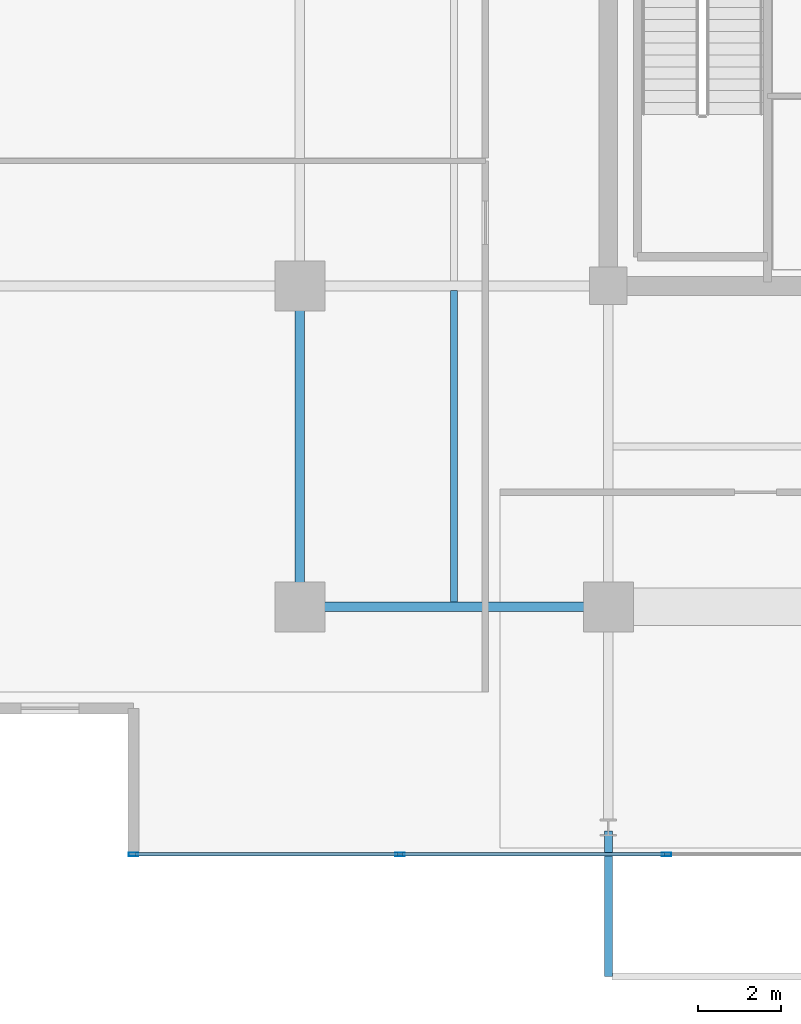
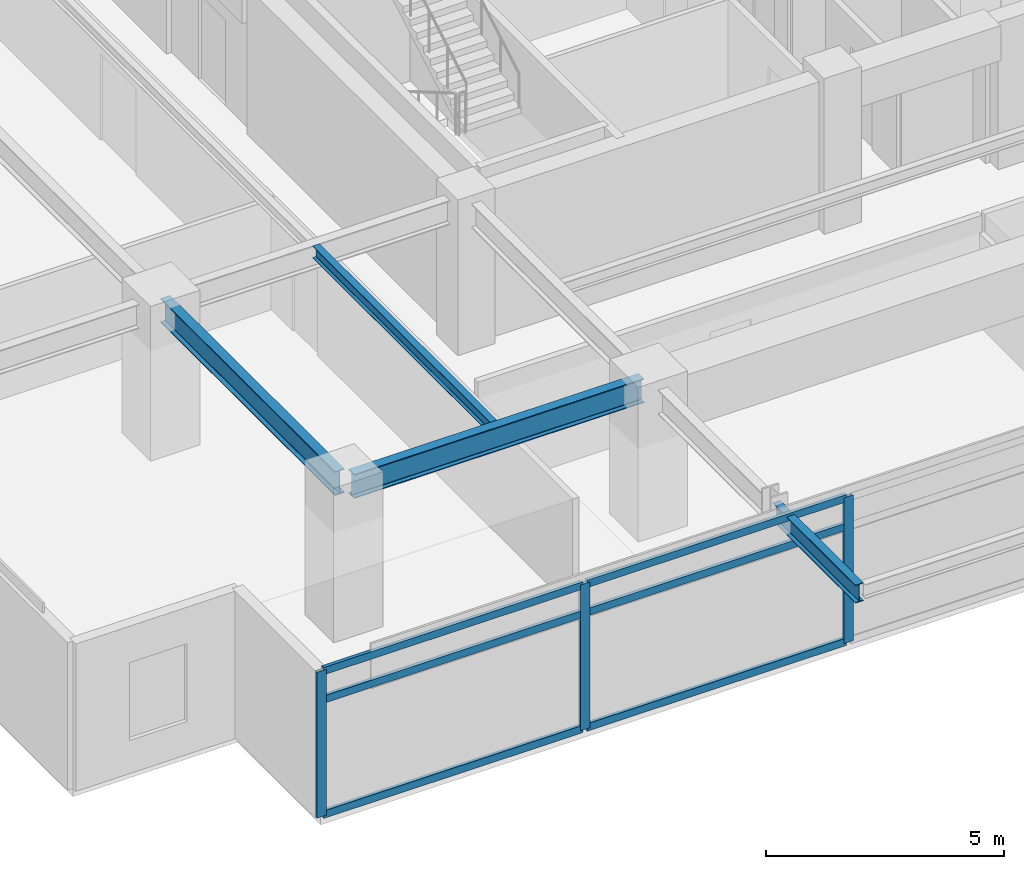
# One storey, part 2 of 19: 9 members, 4 beams, 1 element without a shape of its own.
"""IFC4 building model written with IfcOpenShell, lengths in metres."""

import ifcopenshell
import ifcopenshell.guid

model = None  # the IFC model being written
_history = None  # IfcOwnerHistory: only IFC2X3 demands one
_inside = {}  # id of a spatial element -> (the spatial element, [elements in it])
_under = {}  # id of a project, library or spatial element -> (it, [spatial elements below it])
_declared = {}  # id of a project -> (the project, [libraries it declares])
_typed = {}  # id of a type object -> (the type object, [elements of that type])
_made_of = {}  # id of a material, layer set ... -> (it, [elements and type objects made of it])


def new_model(schema):
    """Start an empty IFC model of exactly this schema.

    Asked for "IFC4X3", IfcOpenShell would pick the latest addendum, in which some entities
    have other attributes; the version numbers below select the first issue.
    IFC2X3 requires an IfcOwnerHistory on every rooted entity: one is made here for all.
    """
    global model, _history
    if schema == "IFC4X3":
        model = ifcopenshell.file(schema_version=(4, 3, 0, 0))
    else:
        model = ifcopenshell.file(schema=schema)
    _inside.clear()
    _under.clear()
    _declared.clear()
    _typed.clear()
    _made_of.clear()
    _history = None
    if model.schema == "IFC2X3":
        org = make("IfcOrganization", Name="unknown")
        user = make(
            "IfcPersonAndOrganization",
            ThePerson=make("IfcPerson", FamilyName="unknown"),
            TheOrganization=org,
        )
        app = make(
            "IfcApplication",
            ApplicationDeveloper=org,
            Version="unknown",
            ApplicationFullName="unknown",
            ApplicationIdentifier="unknown",
        )
        _history = make(
            "IfcOwnerHistory",
            OwningUser=user,
            OwningApplication=app,
            ChangeAction="ADDED",
            CreationDate=0,
        )
    return model


def make(cls, **values):
    """One entity of the class cls with the attributes given. An attribute that is None is left unset."""
    return model.create_entity(
        cls, **{name: value for name, value in values.items() if value is not None}
    )


def rooted(cls, **values):
    """An entity with a GlobalId (a new one), such as an element, a storey or a relation."""
    return make(cls, GlobalId=ifcopenshell.guid.new(), OwnerHistory=_history, **values)


def si_unit(unit_type, name, prefix=None):
    """IfcSIUnit, for example si_unit("LENGTHUNIT", "METRE", prefix="MILLI")."""
    return make("IfcSIUnit", UnitType=unit_type, Prefix=prefix, Name=name)


def assignment(units):
    """IfcUnitAssignment: the units of a project."""
    return None if units is None else make("IfcUnitAssignment", Units=units)


def point(xyz):
    """IfcCartesianPoint."""
    return None if xyz is None else make("IfcCartesianPoint", Coordinates=xyz)


def direction(xyz):
    """IfcDirection."""
    return None if xyz is None else make("IfcDirection", DirectionRatios=xyz)


def frame(location, z_axis=None, x_axis=None):
    """IfcAxis2Placement3D, a coordinate frame: its origin and axes. An axis left out is left unset."""
    return make(
        "IfcAxis2Placement3D",
        Location=point(location),
        Axis=direction(z_axis),
        RefDirection=direction(x_axis),
    )


def frame_2d(location, x_axis=None):
    """IfcAxis2Placement2D, a coordinate frame in the plane: its origin and x axis."""
    return make(
        "IfcAxis2Placement2D", Location=point(location), RefDirection=direction(x_axis)
    )


def origin():
    """The frame at (0, 0, 0) with its axes left unset."""
    return frame((0.0, 0.0, 0.0))


def origin_2d():
    """The frame at (0, 0) in the plane with its x axis left unset."""
    return frame_2d((0.0, 0.0))


def place(relative_to, where):
    """IfcLocalPlacement: puts the frame where relative to a parent placement (None: the world)."""
    return make(
        "IfcLocalPlacement", PlacementRelTo=relative_to, RelativePlacement=where
    )


def context(
    kind, dimensions, precision=None, world=None, true_north=None, identifier=None
):
    """IfcGeometricRepresentationContext, for example the 3D "Model" context."""
    return make(
        "IfcGeometricRepresentationContext",
        ContextIdentifier=identifier,
        ContextType=kind,
        CoordinateSpaceDimension=dimensions,
        Precision=precision,
        WorldCoordinateSystem=world,
        TrueNorth=true_north,
    )


def subcontext(parent, identifier, kind, view, scale=None):
    """IfcGeometricRepresentationSubContext, for example "Body" below "Model"."""
    return make(
        "IfcGeometricRepresentationSubContext",
        ContextIdentifier=identifier,
        ContextType=kind,
        ParentContext=parent,
        TargetScale=scale,
        TargetView=view,
    )


def project(units=None, contexts=None):
    """IfcProject with its units and contexts."""
    return rooted(
        "IfcProject",
        Name="project",
        RepresentationContexts=contexts,
        UnitsInContext=assignment(units),
    )


def spatial(cls, under=None, at=None, **own):
    """A site, building, storey or space (cls), placed at a placement, below another one or the project."""
    s = rooted(cls, ObjectPlacement=at, **own)
    if under is not None:
        _under.setdefault(under.id(), (under, []))[1].append(s)
    return s


def profile(cls, at=None, kind="AREA", **sizes):
    """A parametric profile (cls). Its sizes go by their IFC names, for example OverallWidth=200.0."""
    return make(cls, ProfileType=kind, Position=at, **sizes)


def hollow_rectangle(**sizes):
    """IfcRectangleHollowProfileDef."""
    return profile("IfcRectangleHollowProfileDef", **sizes)


def i_section(**sizes):
    """IfcIShapeProfileDef."""
    return profile("IfcIShapeProfileDef", **sizes)


def extrude(swept, where, along, depth):
    """IfcExtrudedAreaSolid: the profile swept, set in the frame where, extruded along a direction by depth."""
    return make(
        "IfcExtrudedAreaSolid",
        SweptArea=swept,
        Position=where,
        ExtrudedDirection=direction(along),
        Depth=depth,
    )


def shape(context_of_items, identifier, shape_type, items):
    """IfcShapeRepresentation: the items that make up one representation, for example the "Body"."""
    return make(
        "IfcShapeRepresentation",
        ContextOfItems=context_of_items,
        RepresentationIdentifier=identifier,
        RepresentationType=shape_type,
        Items=items,
    )


def material(Name=None, Category=None):
    """IfcMaterial."""
    return make("IfcMaterial", Name=Name, Category=Category)


def material_profile(
    of_material, cross_section, Name=None, Category=None, Priority=None
):
    """IfcMaterialProfile: a cross section and its material."""
    return make(
        "IfcMaterialProfile",
        Name=Name,
        Material=of_material,
        Profile=cross_section,
        Priority=Priority,
        Category=Category,
    )


def profile_set(profiles, Name=None, composite=None):
    """IfcMaterialProfileSet."""
    return make(
        "IfcMaterialProfileSet",
        Name=Name,
        MaterialProfiles=profiles,
        CompositeProfile=composite,
    )


def made_of(thing, what):
    """Note that an element or type object is made of a material, layer set ...; save() writes the relation."""
    if what is not None:
        _made_of.setdefault(what.id(), (what, []))[1].append(thing)
    return thing


def type_object(cls, material=None, **own):
    """A type object (cls), such as IfcWallType, which elements share."""
    return made_of(rooted(cls, **own), material)


def element(
    cls,
    number,
    at=None,
    inside=None,
    cuts=None,
    type_object=None,
    material=None,
    context=None,
    identifier="Body",
    shape_type=None,
    held_by="IfcProductDefinitionShape",
    body=None,
    shapes=None,
    **own,
):
    """One element of the class cls, such as IfcWall. Its Tag is "e" and its number.

    at: its placement. inside: the storey or other place that contains it. cuts: it is an
    opening in that element (IfcRelVoidsElement). A single representation is given by context,
    identifier, shape_type and body (its items); several are given by shapes. held_by: the class
    of the entity that holds the representations. save() writes the other relations.
    """
    e = rooted(cls, Tag="e%d" % number, ObjectPlacement=at, **own)
    if body is not None:
        shapes = [shape(context, identifier, shape_type, body)]
    if shapes is not None:
        e.Representation = make(held_by, Representations=shapes)
    if inside is not None:
        _inside.setdefault(inside.id(), (inside, []))[1].append(e)
    if cuts is not None:
        rooted(
            "IfcRelVoidsElement", RelatingBuildingElement=cuts, RelatedOpeningElement=e
        )
    if type_object is not None:
        _typed.setdefault(type_object.id(), (type_object, []))[1].append(e)
    return made_of(e, material)


def aggregate(whole, parts):
    """IfcRelAggregates: a whole, such as a stair, and the parts it consists of."""
    return rooted("IfcRelAggregates", RelatingObject=whole, RelatedObjects=parts)


def save(model, path):
    """Write the relations noted so far, then the file.

    IfcRelAggregates (storeys below a building ...), IfcRelContainedInSpatialStructure (elements
    in a storey), IfcRelDefinesByType, IfcRelAssociatesMaterial and IfcRelDeclares: one each for
    every whole, place, type object, material and project.
    """
    for whole, parts in _under.values():
        aggregate(whole, parts)
    for where, things in _inside.values():
        rooted(
            "IfcRelContainedInSpatialStructure",
            RelatedElements=things,
            RelatingStructure=where,
        )
    for kind, things in _typed.values():
        rooted("IfcRelDefinesByType", RelatedObjects=things, RelatingType=kind)
    for what, things in _made_of.values():
        rooted("IfcRelAssociatesMaterial", RelatedObjects=things, RelatingMaterial=what)
    for by, libraries in _declared.values():
        rooted("IfcRelDeclares", RelatingContext=by, RelatedDefinitions=libraries)
    model.write(path)


model = new_model("IFC4")

# Units and contexts
model_context = context("Model", 3, precision=1e-05, world=origin(), true_north=direction((0.0, 1.0)))
body_context = subcontext(model_context, "Body", "Model", "MODEL_VIEW")
ifc_project = project(units=[si_unit("LENGTHUNIT", "METRE"), si_unit("AREAUNIT", "SQUARE_METRE"), si_unit("VOLUMEUNIT", "CUBIC_METRE"), si_unit("PLANEANGLEUNIT", "RADIAN"), si_unit("MASSUNIT", "GRAM", prefix="KILO")], contexts=[model_context])

# Site, building, storey
site_placement = place(None, origin())
site = spatial("IfcSite", under=ifc_project, at=site_placement, CompositionType="ELEMENT")
building_placement = place(site_placement, origin())
building = spatial("IfcBuilding", under=site, at=building_placement, Name="Kovane Verandah Tower", CompositionType="ELEMENT")
storey_placement = place(building_placement, frame((0.0, 0.0, 255.199951171875)))
storey = spatial("IfcBuildingStorey", under=building, at=storey_placement, Name="L59", CompositionType="ELEMENT", Elevation=255.199951171875)

# Beams
ifc_material_1 = material(Name="Steel S355", Category="steel")
ifc_material_profile_1 = material_profile(ifc_material_1, i_section(OverallWidth=0.230224609375, OverallDepth=0.6171875, WebThickness=0.01318359375, FlangeThickness=0.022216796875, FilletRadius=0.0126953125, at=origin_2d()), Name="UB610x229x140")
ifc_profile_set_1 = profile_set([ifc_material_profile_1], Name="Steel S355")
beam_type_1 = type_object("IfcBeamType", Name="BM-UB610x140", PredefinedType="BEAM", material=ifc_profile_set_1)
beam_1_placement = place(storey_placement, frame((21.780029296875, 10.800048828125, 3.4765625), z_axis=(1.0, 0.0, 0.0), x_axis=(0.0, 1.0, 0.0)))
element("IfcBeam", 1, at=beam_1_placement, inside=storey, type_object=beam_type_1, Name="L59 Primary Tower Girder G-RS1", PredefinedType="BEAM", context=body_context, shape_type="SweptSolid", body=[
    extrude(i_section(OverallWidth=0.230224609375, OverallDepth=0.6171875, WebThickness=0.01318359375, FlangeThickness=0.022216796875, FilletRadius=0.0126953125, at=origin_2d()), origin(), (0.0, 0.0, 1.0), 7.0400390625),
])
beam_2_placement = place(storey_placement, frame((21.60009765625, 10.97998046875, 3.4765625), z_axis=(0.0, 1.0, 0.0), x_axis=(-1.0, 0.0, 0.0)))
element("IfcBeam", 2, at=beam_2_placement, inside=storey, type_object=beam_type_1, Name="L59 Primary Tower Girder G-RW1", PredefinedType="BEAM", context=body_context, shape_type="SweptSolid", body=[
    extrude(i_section(OverallWidth=0.230224609375, OverallDepth=0.6171875, WebThickness=0.01318359375, FlangeThickness=0.022216796875, FilletRadius=0.0126953125, at=origin_2d()), origin(), (0.0, 0.0, 1.0), 7.340087890625),
])

# Curtain wall, members
ifc_material_2 = material(Name="Champagne Anodised Aluminium Frame with Low-E Clear Laminated Glass", Category="aluminium")
curtain_wall_type = type_object("IfcCurtainWallType", Name="CW-SYS-05-HIGH", PredefinedType="NOTDEFINED", material=ifc_material_2)
curtain_wall_placement = place(storey_placement, origin())
curtain_wall = element("IfcCurtainWall", 3, at=curtain_wall_placement, inside=storey, type_object=curtain_wall_type, Name="L59 S Unitised Curtain Wall", PredefinedType="NOTDEFINED")
ifc_material_3 = material(Name="Champagne Anodised Aluminium 6063-T6", Category="aluminium")
ifc_material_profile_2 = material_profile(ifc_material_3, hollow_rectangle(XDim=0.0849609375, YDim=0.22998046875, WallThickness=0.00390625, at=origin_2d()), Name="AL85x230x4")
ifc_profile_set_2 = profile_set([ifc_material_profile_2], Name="Champagne Anodised Aluminium 6063-T6")
member_type_1 = type_object("IfcMemberType", Name="CW-MUL-85x230", PredefinedType="MULLION", material=ifc_profile_set_2)
member_1_placement = place(storey_placement, frame((17.603759765625, 4.8623046875, 0.02001953125), z_axis=(0.0, 0.0, 1.0), x_axis=(0.0, -1.0, 0.0)))
member_1 = element("IfcMember", 4, at=member_1_placement, type_object=member_type_1, Name="L59 S Unitised Curtain Wall Mullion 1", PredefinedType="MULLION", context=body_context, shape_type="SweptSolid", body=[
    extrude(hollow_rectangle(XDim=0.0849609375, YDim=0.22998046875, WallThickness=0.00390625, at=origin_2d()), origin(), (0.0, 0.0, 1.0), 3.7451171875),
])
member_2_placement = place(storey_placement, frame((24.002685546875, 4.8623046875, 0.02001953125), z_axis=(0.0, 0.0, 1.0), x_axis=(0.0, -1.0, 0.0)))
member_2 = element("IfcMember", 5, at=member_2_placement, type_object=member_type_1, Name="L59 S Unitised Curtain Wall Mullion 2", PredefinedType="MULLION", context=body_context, shape_type="SweptSolid", body=[
    extrude(hollow_rectangle(XDim=0.0849609375, YDim=0.22998046875, WallThickness=0.00390625, at=origin_2d()), origin(), (0.0, 0.0, 1.0), 3.7451171875),
])
member_3_placement = place(storey_placement, frame((30.401611328125, 4.8623046875, 0.02001953125), z_axis=(0.0, 0.0, 1.0), x_axis=(0.0, -1.0, 0.0)))
member_3 = element("IfcMember", 6, at=member_3_placement, type_object=member_type_1, Name="L59 S Unitised Curtain Wall Mullion 3", PredefinedType="MULLION", context=body_context, shape_type="SweptSolid", body=[
    extrude(hollow_rectangle(XDim=0.0849609375, YDim=0.22998046875, WallThickness=0.00390625, at=origin_2d()), origin(), (0.0, 0.0, 1.0), 3.7451171875),
])
ifc_material_profile_3 = material_profile(ifc_material_3, hollow_rectangle(XDim=0.0849609375, YDim=0.18994140625, WallThickness=0.00390625, at=origin_2d()), Name="AL85x190x4")
ifc_profile_set_3 = profile_set([ifc_material_profile_3], Name="Champagne Anodised Aluminium 6063-T6")
member_type_2 = type_object("IfcMemberType", Name="CW-TRN-85x190", PredefinedType="USERDEFINED", material=ifc_profile_set_3)
member_4_placement = place(storey_placement, frame((17.65380859375, 4.8623046875, 0.050048828125), z_axis=(1.0, 0.0, 0.0), x_axis=(0.0, 1.0, 0.0)))
member_4 = element("IfcMember", 7, at=member_4_placement, type_object=member_type_2, Name="L59 S Unitised Curtain Wall Transom TB Bay 1", ObjectType="TRANSOM", PredefinedType="USERDEFINED", context=body_context, shape_type="SweptSolid", body=[
    extrude(hollow_rectangle(XDim=0.0849609375, YDim=0.18994140625, WallThickness=0.00390625, at=origin_2d()), origin(), (0.0, 0.0, 1.0), 6.298828125),
])
member_5_placement = place(storey_placement, frame((17.65380859375, 4.8623046875, 3.005126953125), z_axis=(1.0, 0.0, 0.0), x_axis=(0.0, 1.0, 0.0)))
member_5 = element("IfcMember", 8, at=member_5_placement, type_object=member_type_2, Name="L59 S Unitised Curtain Wall Transom TM Bay 1", ObjectType="TRANSOM", PredefinedType="USERDEFINED", context=body_context, shape_type="SweptSolid", body=[
    extrude(hollow_rectangle(XDim=0.0849609375, YDim=0.18994140625, WallThickness=0.00390625, at=origin_2d()), origin(), (0.0, 0.0, 1.0), 6.298828125),
])
member_6_placement = place(storey_placement, frame((17.65380859375, 4.8623046875, 3.735107421875), z_axis=(1.0, 0.0, 0.0), x_axis=(0.0, 1.0, 0.0)))
member_6 = element("IfcMember", 9, at=member_6_placement, type_object=member_type_2, Name="L59 S Unitised Curtain Wall Transom TT Bay 1", ObjectType="TRANSOM", PredefinedType="USERDEFINED", context=body_context, shape_type="SweptSolid", body=[
    extrude(hollow_rectangle(XDim=0.0849609375, YDim=0.18994140625, WallThickness=0.00390625, at=origin_2d()), origin(), (0.0, 0.0, 1.0), 6.298828125),
])
member_7_placement = place(storey_placement, frame((24.052490234375, 4.8623046875, 0.050048828125), z_axis=(1.0, 0.0, 0.0), x_axis=(0.0, 1.0, 0.0)))
member_7 = element("IfcMember", 10, at=member_7_placement, type_object=member_type_2, Name="L59 S Unitised Curtain Wall Transom TB Bay 2", ObjectType="TRANSOM", PredefinedType="USERDEFINED", context=body_context, shape_type="SweptSolid", body=[
    extrude(hollow_rectangle(XDim=0.0849609375, YDim=0.18994140625, WallThickness=0.00390625, at=origin_2d()), origin(), (0.0, 0.0, 1.0), 6.299072265625),
])
member_8_placement = place(storey_placement, frame((24.052490234375, 4.8623046875, 3.005126953125), z_axis=(1.0, 0.0, 0.0), x_axis=(0.0, 1.0, 0.0)))
member_8 = element("IfcMember", 11, at=member_8_placement, type_object=member_type_2, Name="L59 S Unitised Curtain Wall Transom TM Bay 2", ObjectType="TRANSOM", PredefinedType="USERDEFINED", context=body_context, shape_type="SweptSolid", body=[
    extrude(hollow_rectangle(XDim=0.0849609375, YDim=0.18994140625, WallThickness=0.00390625, at=origin_2d()), origin(), (0.0, 0.0, 1.0), 6.299072265625),
])
member_9_placement = place(storey_placement, frame((24.052490234375, 4.8623046875, 3.735107421875), z_axis=(1.0, 0.0, 0.0), x_axis=(0.0, 1.0, 0.0)))
member_9 = element("IfcMember", 12, at=member_9_placement, type_object=member_type_2, Name="L59 S Unitised Curtain Wall Transom TT Bay 2", ObjectType="TRANSOM", PredefinedType="USERDEFINED", context=body_context, shape_type="SweptSolid", body=[
    extrude(hollow_rectangle(XDim=0.0849609375, YDim=0.18994140625, WallThickness=0.00390625, at=origin_2d()), origin(), (0.0, 0.0, 1.0), 6.299072265625),
])
aggregate(curtain_wall, [member_1, member_2, member_3, member_4, member_5, member_6, member_7, member_8, member_9])

# Beams
ifc_material_profile_4 = material_profile(ifc_material_1, i_section(OverallWidth=0.1669921875, OverallDepth=0.310302734375, WebThickness=0.0078125, FlangeThickness=0.013671875, FilletRadius=0.0087890625, at=origin_2d()), Name="UB305x165x54")
ifc_profile_set_4 = profile_set([ifc_material_profile_4], Name="Steel S355")
beam_type_2 = type_object("IfcBeamType", Name="JST-UB305x54", PredefinedType="JOIST", material=ifc_profile_set_4)
beam_3_placement = place(storey_placement, frame((25.300048828125, 10.9130859375, 3.6298828125), z_axis=(0.0, 1.0, 0.0), x_axis=(-1.0, 0.0, 0.0)))
element("IfcBeam", 13, at=beam_3_placement, inside=storey, type_object=beam_type_2, Name="L59 Secondary Composite Joist J-SW1", PredefinedType="JOIST", context=body_context, shape_type="SweptSolid", body=[
    extrude(i_section(OverallWidth=0.1669921875, OverallDepth=0.310302734375, WebThickness=0.0078125, FlangeThickness=0.013671875, FilletRadius=0.0087890625, at=origin_2d()), origin(), (0.0, 0.0, 1.0), 7.473876953125),
])
ifc_material_profile_5 = material_profile(ifc_material_1, i_section(OverallWidth=0.19287109375, OverallDepth=0.46728515625, WebThickness=0.011474609375, FlangeThickness=0.01953125, FilletRadius=0.01025390625, at=origin_2d()), Name="UB457x191x98")
ifc_profile_set_5 = profile_set([ifc_material_profile_5], Name="Steel S355")
beam_type_3 = type_object("IfcBeamType", Name="JST-UB457x98", PredefinedType="JOIST", material=ifc_profile_set_5)
beam_4_placement = place(storey_placement, frame((29.0, 5.419921875, 3.5263671875), z_axis=(0.0, -1.0, 0.0), x_axis=(1.0, 0.0, 0.0)))
element("IfcBeam", 14, at=beam_4_placement, inside=storey, type_object=beam_type_3, Name="L59 South Planter Girder 1", PredefinedType="JOIST", context=body_context, shape_type="SweptSolid", body=[
    extrude(i_section(OverallWidth=0.19287109375, OverallDepth=0.46728515625, WebThickness=0.011474609375, FlangeThickness=0.01953125, FilletRadius=0.01025390625, at=origin_2d()), origin(), (0.0, 0.0, 1.0), 3.488037109375),
])

save(model, "model.ifc")
